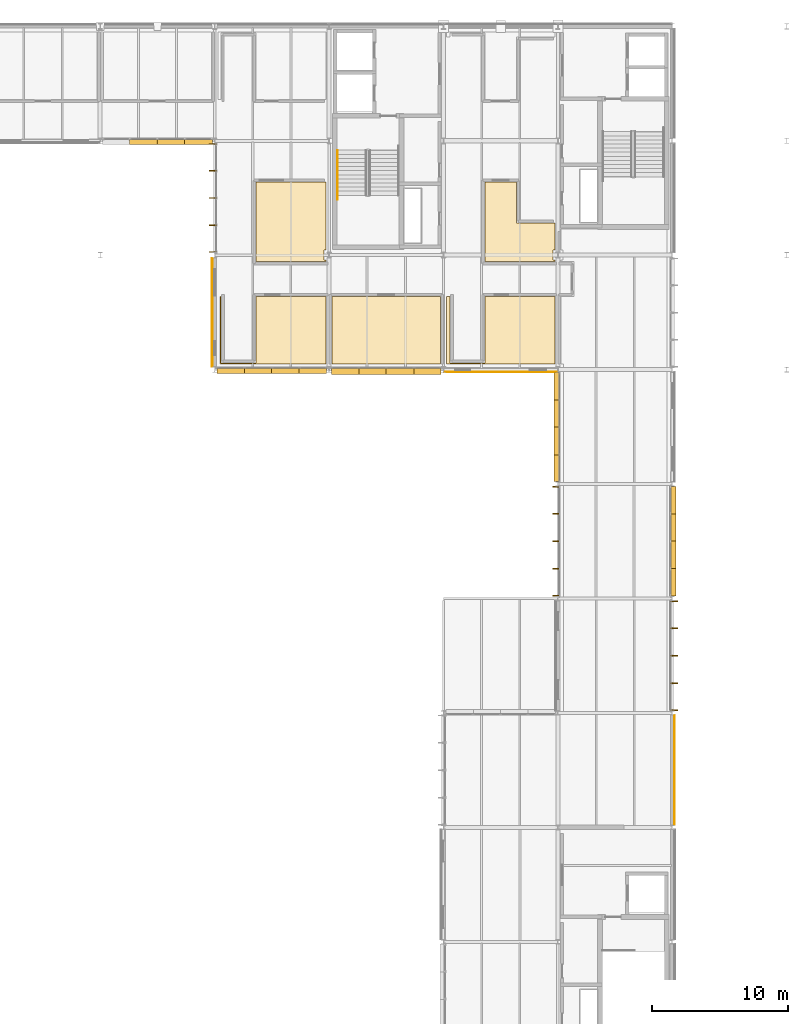
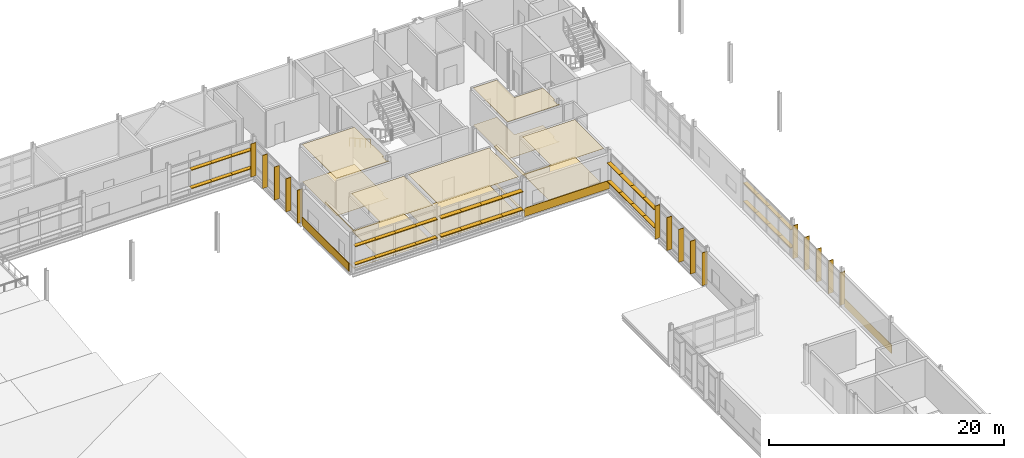
# One storey, part 64 of 66: 53 shading devices, 13 coverings, 1 railing.
"""IFC4 building model written with IfcOpenShell, lengths in metres."""

from ifc_helpers import new_model, si_unit, direction, frame, origin, origin_2d, place, context, subcontext, project, spatial, polyline, rectangle, circle, outline, extrude, material, layer, layer_set, type_object, element, save


model = new_model("IFC4")

# Units and contexts
model_context = context("Model", 3, precision=1e-05, world=origin(), true_north=direction((0.0, 1.0)))
body_context = subcontext(model_context, "Body", "Model", "MODEL_VIEW")
ifc_project = project(units=[si_unit("LENGTHUNIT", "METRE"), si_unit("AREAUNIT", "SQUARE_METRE"), si_unit("VOLUMEUNIT", "CUBIC_METRE"), si_unit("PLANEANGLEUNIT", "RADIAN"), si_unit("MASSUNIT", "GRAM", prefix="KILO")], contexts=[model_context])

# Site, building, storey
site_placement = place(None, origin())
site = spatial("IfcSite", under=ifc_project, at=site_placement, CompositionType="ELEMENT")
building_placement = place(site_placement, origin())
building = spatial("IfcBuilding", under=site, at=building_placement, Name="Mersafa Astral City Hall", CompositionType="ELEMENT")
storey_placement = place(building_placement, frame((0.0, 0.0, 22.050048828125)))
storey = spatial("IfcBuildingStorey", under=building, at=storey_placement, Name="L05", CompositionType="ELEMENT", Elevation=22.050048828125)

# Coverings
ifc_material_1 = material(Name="Cairo Mokattam buff limestone cladding", Category="masonry")
ifc_layer_1 = layer(ifc_material_1, 0.06005859375, Name="Cairo Mokattam buff limestone cladding")
ifc_layer_set_1 = layer_set([ifc_layer_1], Name="Cairo Mokattam buff limestone cladding — ENV-COV-LIMESTONE-60")
covering_type_1 = type_object("IfcCoveringType", Name="ENV-COV-LIMESTONE-60", PredefinedType="CLADDING", material=ifc_layer_set_1)
covering_1_placement = place(storey_placement, frame((176.56201171875, 71.39990234375, 0.0), z_axis=(0.0, 0.0, 1.0), x_axis=(0.0, 1.0, 0.0)))
element("IfcCovering", 1, at=covering_1_placement, inside=storey, type_object=covering_type_1, Name="L05 Cairo buff limestone rainscreen cladding 322", PredefinedType="CLADDING", context=body_context, shape_type="SweptSolid", body=[
    extrude(rectangle(XDim=8.048095703125, YDim=0.06005859375, at=origin_2d()), origin(), (0.0, 0.0, 1.0), 0.860107421875),
])
covering_2_placement = place(storey_placement, frame((142.623046875, 105.0, 0.0), z_axis=(0.0, 0.0, 1.0), x_axis=(0.0, -1.0, 0.0)))
element("IfcCovering", 2, at=covering_2_placement, inside=storey, type_object=covering_type_1, Name="L05 Cairo buff limestone rainscreen cladding 343", PredefinedType="CLADDING", context=body_context, shape_type="SweptSolid", body=[
    extrude(rectangle(XDim=7.947998046875, YDim=0.06005859375, at=origin_2d()), origin(), (0.0, 0.0, 1.0), 0.860107421875),
])
covering_3_placement = place(storey_placement, frame((163.800048828125, 100.630615234375, 0.0), z_axis=(0.0, 0.0, 1.0), x_axis=(1.0, 0.0, 0.0)))
element("IfcCovering", 3, at=covering_3_placement, inside=storey, type_object=covering_type_1, Name="L05 Cairo buff limestone rainscreen cladding 344", PredefinedType="CLADDING", context=body_context, shape_type="SweptSolid", body=[
    extrude(rectangle(XDim=8.323974609375, YDim=0.06005859375, at=origin_2d()), origin(), (0.0, 0.0, 1.0), 0.860107421875),
])

# Shading devices
ifc_material_2 = material(Name="Anodised bronze aluminium solar fin", Category="aluminium")
shading_device_type_1 = type_object("IfcShadingDeviceType", Name="ENV-SHD-FIN-500A", PredefinedType="USERDEFINED", material=ifc_material_2)
for number, where, z_axis, x_axis, name in (
    (4, (176.544921875, 75.7919921875, -0.01513671875), (0.0, 0.0, 1.0), (0.0, 1.0, 0.0), "L05 Vertical bronze solar fin 1442"),
    (5, (176.544921875, 77.781005859375, -0.01513671875), (0.0, 0.0, 1.0), (0.0, 1.0, 0.0), "L05 Vertical bronze solar fin 1443"),
    (6, (176.544921875, 79.800048828125, -0.01513671875), (0.0, 0.0, 1.0), (0.0, 1.0, 0.0), "L05 Vertical bronze solar fin 1444"),
    (7, (176.544921875, 81.819091796875, -0.01513671875), (0.0, 0.0, 1.0), (0.0, 1.0, 0.0), "L05 Vertical bronze solar fin 1445"),
    (8, (176.544921875, 83.80810546875, -0.01513671875), (0.0, 0.0, 1.0), (0.0, 1.0, 0.0), "L05 Vertical bronze solar fin 1446"),
):
    element("IfcShadingDevice", number, at=place(storey_placement, frame(where, z_axis=z_axis, x_axis=x_axis)), inside=storey, type_object=shading_device_type_1, Name=name, ObjectType="FIN", PredefinedType="USERDEFINED", context=body_context, shape_type="SweptSolid", body=[
        extrude(rectangle(XDim=0.06005859375, YDim=0.5, at=origin_2d()), origin(), (0.0, 0.0, 1.0), 3.422119140625),
    ])
for number, where, z_axis, x_axis, name in (
    (9, (142.655029296875, 117.35791015625, -0.01513671875), (0.0, 0.0, 1.0), (0.0, -1.0, 0.0), "L05 Vertical bronze solar fin 1540"),
    (10, (142.655029296875, 115.39404296875, -0.01513671875), (0.0, 0.0, 1.0), (0.0, -1.0, 0.0), "L05 Vertical bronze solar fin 1541"),
    (11, (142.655029296875, 113.39990234375, -0.01513671875), (0.0, 0.0, 1.0), (0.0, -1.0, 0.0), "L05 Vertical bronze solar fin 1542"),
    (12, (142.655029296875, 111.406005859375, -0.01513671875), (0.0, 0.0, 1.0), (0.0, -1.0, 0.0), "L05 Vertical bronze solar fin 1543"),
    (13, (142.655029296875, 109.44189453125, -0.01513671875), (0.0, 0.0, 1.0), (0.0, -1.0, 0.0), "L05 Vertical bronze solar fin 1544"),
):
    element("IfcShadingDevice", number, at=place(storey_placement, frame(where, z_axis=z_axis, x_axis=x_axis)), inside=storey, type_object=shading_device_type_1, Name=name, ObjectType="FIN", PredefinedType="USERDEFINED", context=body_context, shape_type="SweptSolid", body=[
        extrude(rectangle(XDim=0.06005859375, YDim=0.5, at=origin_2d()), origin(), (0.0, 0.0, 1.0), 3.447021484375),
    ])
for number, where, z_axis, x_axis, name in (
    (14, (167.85498046875, 92.2080078125, -0.01513671875), (0.0, 0.0, 1.0), (0.0, -1.0, 0.0), "L05 Vertical bronze solar fin 1569"),
    (15, (167.85498046875, 90.218994140625, -0.01513671875), (0.0, 0.0, 1.0), (0.0, -1.0, 0.0), "L05 Vertical bronze solar fin 1570"),
    (16, (167.85498046875, 88.199951171875, -0.01513671875), (0.0, 0.0, 1.0), (0.0, -1.0, 0.0), "L05 Vertical bronze solar fin 1571"),
    (17, (167.85498046875, 86.180908203125, -0.01513671875), (0.0, 0.0, 1.0), (0.0, -1.0, 0.0), "L05 Vertical bronze solar fin 1572"),
    (18, (167.85498046875, 84.19189453125, -0.01513671875), (0.0, 0.0, 1.0), (0.0, -1.0, 0.0), "L05 Vertical bronze solar fin 1573"),
):
    element("IfcShadingDevice", number, at=place(storey_placement, frame(where, z_axis=z_axis, x_axis=x_axis)), inside=storey, type_object=shading_device_type_1, Name=name, ObjectType="FIN", PredefinedType="USERDEFINED", context=body_context, shape_type="SweptSolid", body=[
        extrude(rectangle(XDim=0.06005859375, YDim=0.5, at=origin_2d()), origin(), (0.0, 0.0, 1.0), 3.422119140625),
    ])
ifc_material_3 = material(Name="Kiln-dried cedar timber brise-soleil blade", Category="wood")
shading_device_type_2 = type_object("IfcShadingDeviceType", Name="ENV-SHD-LOUVRE-380", PredefinedType="JALOUSIE", material=ifc_material_3)
shading_device_1_placement = place(storey_placement, frame((176.47998046875, 85.1865234375, 0.81494140625), z_axis=(0.0, 0.0, 1.0), x_axis=(0.0, 1.0, 0.0)))
element("IfcShadingDevice", 19, at=shading_device_1_placement, inside=storey, type_object=shading_device_type_2, Name="L05 Horizontal cedar brise-soleil louvre 1447", PredefinedType="JALOUSIE", context=body_context, shape_type="SweptSolid", body=[
    extrude(rectangle(XDim=2.029052734375, YDim=0.3798828125, at=origin_2d()), origin(), (0.0, 0.0, 1.0), 0.070068359375),
])
for number, where, z_axis, x_axis, name in (
    (20, (176.47998046875, 87.1904296875, 0.81494140625), (0.0, 0.0, 1.0), (0.0, 1.0, 0.0), "L05 Horizontal cedar brise-soleil louvre 1448"),
    (21, (176.47998046875, 89.20947265625, 0.81494140625), (0.0, 0.0, 1.0), (0.0, 1.0, 0.0), "L05 Horizontal cedar brise-soleil louvre 1449"),
):
    element("IfcShadingDevice", number, at=place(storey_placement, frame(where, z_axis=z_axis, x_axis=x_axis)), inside=storey, type_object=shading_device_type_2, Name=name, PredefinedType="JALOUSIE", context=body_context, shape_type="SweptSolid", body=[
        extrude(rectangle(XDim=2.05908203125, YDim=0.3798828125, at=origin_2d()), origin(), (0.0, 0.0, 1.0), 0.070068359375),
    ])
for number, where, z_axis, x_axis, name in (
    (22, (176.47998046875, 91.21337890625, 0.81494140625), (0.0, 0.0, 1.0), (0.0, 1.0, 0.0), "L05 Horizontal cedar brise-soleil louvre 1450"),
    (23, (176.47998046875, 85.1865234375, 2.71484375), (0.0, 0.0, 1.0), (0.0, 1.0, 0.0), "L05 Horizontal cedar brise-soleil louvre 1451"),
):
    element("IfcShadingDevice", number, at=place(storey_placement, frame(where, z_axis=z_axis, x_axis=x_axis)), inside=storey, type_object=shading_device_type_2, Name=name, PredefinedType="JALOUSIE", context=body_context, shape_type="SweptSolid", body=[
        extrude(rectangle(XDim=2.029052734375, YDim=0.3798828125, at=origin_2d()), origin(), (0.0, 0.0, 1.0), 0.070068359375),
    ])
for number, where, z_axis, x_axis, name in (
    (24, (176.47998046875, 87.1904296875, 2.71484375), (0.0, 0.0, 1.0), (0.0, 1.0, 0.0), "L05 Horizontal cedar brise-soleil louvre 1452"),
    (25, (176.47998046875, 89.20947265625, 2.71484375), (0.0, 0.0, 1.0), (0.0, 1.0, 0.0), "L05 Horizontal cedar brise-soleil louvre 1453"),
):
    element("IfcShadingDevice", number, at=place(storey_placement, frame(where, z_axis=z_axis, x_axis=x_axis)), inside=storey, type_object=shading_device_type_2, Name=name, PredefinedType="JALOUSIE", context=body_context, shape_type="SweptSolid", body=[
        extrude(rectangle(XDim=2.05908203125, YDim=0.3798828125, at=origin_2d()), origin(), (0.0, 0.0, 1.0), 0.070068359375),
    ])
shading_device_2_placement = place(storey_placement, frame((176.47998046875, 91.21337890625, 2.71484375), z_axis=(0.0, 0.0, 1.0), x_axis=(0.0, 1.0, 0.0)))
element("IfcShadingDevice", 26, at=shading_device_2_placement, inside=storey, type_object=shading_device_type_2, Name="L05 Horizontal cedar brise-soleil louvre 1454", PredefinedType="JALOUSIE", context=body_context, shape_type="SweptSolid", body=[
    extrude(rectangle(XDim=2.029052734375, YDim=0.3798828125, at=origin_2d()), origin(), (0.0, 0.0, 1.0), 0.070068359375),
])
for number, where, z_axis, x_axis, name in (
    (27, (137.590576171875, 117.52001953125, 0.81494140625), (0.0, 0.0, 1.0), (1.0, 0.0, 0.0), "L05 Horizontal cedar brise-soleil louvre 1533"),
    (28, (139.609619140625, 117.52001953125, 0.81494140625), (0.0, 0.0, 1.0), (1.0, 0.0, 0.0), "L05 Horizontal cedar brise-soleil louvre 1534"),
):
    element("IfcShadingDevice", number, at=place(storey_placement, frame(where, z_axis=z_axis, x_axis=x_axis)), inside=storey, type_object=shading_device_type_2, Name=name, PredefinedType="JALOUSIE", context=body_context, shape_type="SweptSolid", body=[
        extrude(rectangle(XDim=2.05908203125, YDim=0.3798828125, at=origin_2d()), origin(), (0.0, 0.0, 1.0), 0.070068359375),
    ])
shading_device_3_placement = place(storey_placement, frame((141.613525390625, 117.52001953125, 0.81494140625), z_axis=(0.0, 0.0, 1.0), x_axis=(1.0, 0.0, 0.0)))
element("IfcShadingDevice", 29, at=shading_device_3_placement, inside=storey, type_object=shading_device_type_2, Name="L05 Horizontal cedar brise-soleil louvre 1535", PredefinedType="JALOUSIE", context=body_context, shape_type="SweptSolid", body=[
    extrude(rectangle(XDim=2.029052734375, YDim=0.3798828125, at=origin_2d()), origin(), (0.0, 0.0, 1.0), 0.070068359375),
])
for number, where, z_axis, x_axis, name in (
    (30, (137.590576171875, 117.52001953125, 2.71484375), (0.0, 0.0, 1.0), (1.0, 0.0, 0.0), "L05 Horizontal cedar brise-soleil louvre 1537"),
    (31, (139.609619140625, 117.52001953125, 2.71484375), (0.0, 0.0, 1.0), (1.0, 0.0, 0.0), "L05 Horizontal cedar brise-soleil louvre 1538"),
):
    element("IfcShadingDevice", number, at=place(storey_placement, frame(where, z_axis=z_axis, x_axis=x_axis)), inside=storey, type_object=shading_device_type_2, Name=name, PredefinedType="JALOUSIE", context=body_context, shape_type="SweptSolid", body=[
        extrude(rectangle(XDim=2.05908203125, YDim=0.3798828125, at=origin_2d()), origin(), (0.0, 0.0, 1.0), 0.070068359375),
    ])
for number, where, z_axis, x_axis, name in (
    (32, (141.613525390625, 117.52001953125, 2.71484375), (0.0, 0.0, 1.0), (1.0, 0.0, 0.0), "L05 Horizontal cedar brise-soleil louvre 1539"),
    (33, (143.986572265625, 100.719970703125, 0.81494140625), (0.0, 0.0, 1.0), (1.0, 0.0, 0.0), "L05 Horizontal cedar brise-soleil louvre 1545"),
):
    element("IfcShadingDevice", number, at=place(storey_placement, frame(where, z_axis=z_axis, x_axis=x_axis)), inside=storey, type_object=shading_device_type_2, Name=name, PredefinedType="JALOUSIE", context=body_context, shape_type="SweptSolid", body=[
        extrude(rectangle(XDim=2.029052734375, YDim=0.3798828125, at=origin_2d()), origin(), (0.0, 0.0, 1.0), 0.070068359375),
    ])
for number, where, z_axis, x_axis, name in (
    (34, (145.990478515625, 100.719970703125, 0.81494140625), (0.0, 0.0, 1.0), (1.0, 0.0, 0.0), "L05 Horizontal cedar brise-soleil louvre 1546"),
    (35, (148.009521484375, 100.719970703125, 0.81494140625), (0.0, 0.0, 1.0), (1.0, 0.0, 0.0), "L05 Horizontal cedar brise-soleil louvre 1547"),
):
    element("IfcShadingDevice", number, at=place(storey_placement, frame(where, z_axis=z_axis, x_axis=x_axis)), inside=storey, type_object=shading_device_type_2, Name=name, PredefinedType="JALOUSIE", context=body_context, shape_type="SweptSolid", body=[
        extrude(rectangle(XDim=2.05908203125, YDim=0.3798828125, at=origin_2d()), origin(), (0.0, 0.0, 1.0), 0.070068359375),
    ])
for number, where, z_axis, x_axis, name in (
    (36, (150.013427734375, 100.719970703125, 0.81494140625), (0.0, 0.0, 1.0), (1.0, 0.0, 0.0), "L05 Horizontal cedar brise-soleil louvre 1548"),
    (37, (143.986572265625, 100.719970703125, 2.71484375), (0.0, 0.0, 1.0), (1.0, 0.0, 0.0), "L05 Horizontal cedar brise-soleil louvre 1549"),
):
    element("IfcShadingDevice", number, at=place(storey_placement, frame(where, z_axis=z_axis, x_axis=x_axis)), inside=storey, type_object=shading_device_type_2, Name=name, PredefinedType="JALOUSIE", context=body_context, shape_type="SweptSolid", body=[
        extrude(rectangle(XDim=2.029052734375, YDim=0.3798828125, at=origin_2d()), origin(), (0.0, 0.0, 1.0), 0.070068359375),
    ])
for number, where, z_axis, x_axis, name in (
    (38, (145.990478515625, 100.719970703125, 2.71484375), (0.0, 0.0, 1.0), (1.0, 0.0, 0.0), "L05 Horizontal cedar brise-soleil louvre 1550"),
    (39, (148.009521484375, 100.719970703125, 2.71484375), (0.0, 0.0, 1.0), (1.0, 0.0, 0.0), "L05 Horizontal cedar brise-soleil louvre 1551"),
):
    element("IfcShadingDevice", number, at=place(storey_placement, frame(where, z_axis=z_axis, x_axis=x_axis)), inside=storey, type_object=shading_device_type_2, Name=name, PredefinedType="JALOUSIE", context=body_context, shape_type="SweptSolid", body=[
        extrude(rectangle(XDim=2.05908203125, YDim=0.3798828125, at=origin_2d()), origin(), (0.0, 0.0, 1.0), 0.070068359375),
    ])
shading_device_4_placement = place(storey_placement, frame((150.013427734375, 100.719970703125, 2.71484375), z_axis=(0.0, 0.0, 1.0), x_axis=(1.0, 0.0, 0.0)))
element("IfcShadingDevice", 40, at=shading_device_4_placement, inside=storey, type_object=shading_device_type_2, Name="L05 Horizontal cedar brise-soleil louvre 1552", PredefinedType="JALOUSIE", context=body_context, shape_type="SweptSolid", body=[
    extrude(rectangle(XDim=2.029052734375, YDim=0.3798828125, at=origin_2d()), origin(), (0.0, 0.0, 1.0), 0.070068359375),
])
shading_device_5_placement = place(storey_placement, frame((167.919921875, 99.569580078125, 0.81494140625), z_axis=(0.0, 0.0, 1.0), x_axis=(0.0, -1.0, 0.0)))
element("IfcShadingDevice", 41, at=shading_device_5_placement, inside=storey, type_object=shading_device_type_2, Name="L05 Horizontal cedar brise-soleil louvre 1561", PredefinedType="JALOUSIE", context=body_context, shape_type="SweptSolid", body=[
    extrude(rectangle(XDim=2.0166015625, YDim=0.3798828125, at=origin_2d()), origin(), (0.0, 0.0, 1.0), 0.070068359375),
])
for number, where, z_axis, x_axis, name in (
    (42, (167.919921875, 97.578125, 0.81494140625), (0.0, 0.0, 1.0), (0.0, -1.0, 0.0), "L05 Horizontal cedar brise-soleil louvre 1562"),
    (43, (167.919921875, 95.57177734375, 0.81494140625), (0.0, 0.0, 1.0), (0.0, -1.0, 0.0), "L05 Horizontal cedar brise-soleil louvre 1563"),
):
    element("IfcShadingDevice", number, at=place(storey_placement, frame(where, z_axis=z_axis, x_axis=x_axis)), inside=storey, type_object=shading_device_type_2, Name=name, PredefinedType="JALOUSIE", context=body_context, shape_type="SweptSolid", body=[
        extrude(rectangle(XDim=2.04638671875, YDim=0.3798828125, at=origin_2d()), origin(), (0.0, 0.0, 1.0), 0.070068359375),
    ])
for number, where, z_axis, x_axis, name in (
    (44, (167.919921875, 93.580078125, 0.81494140625), (0.0, 0.0, 1.0), (0.0, -1.0, 0.0), "L05 Horizontal cedar brise-soleil louvre 1564"),
    (45, (167.919921875, 99.569580078125, 2.71484375), (0.0, 0.0, 1.0), (0.0, -1.0, 0.0), "L05 Horizontal cedar brise-soleil louvre 1565"),
):
    element("IfcShadingDevice", number, at=place(storey_placement, frame(where, z_axis=z_axis, x_axis=x_axis)), inside=storey, type_object=shading_device_type_2, Name=name, PredefinedType="JALOUSIE", context=body_context, shape_type="SweptSolid", body=[
        extrude(rectangle(XDim=2.0166015625, YDim=0.3798828125, at=origin_2d()), origin(), (0.0, 0.0, 1.0), 0.070068359375),
    ])
for number, where, z_axis, x_axis, name in (
    (46, (167.919921875, 97.578125, 2.71484375), (0.0, 0.0, 1.0), (0.0, -1.0, 0.0), "L05 Horizontal cedar brise-soleil louvre 1566"),
    (47, (167.919921875, 95.57177734375, 2.71484375), (0.0, 0.0, 1.0), (0.0, -1.0, 0.0), "L05 Horizontal cedar brise-soleil louvre 1567"),
):
    element("IfcShadingDevice", number, at=place(storey_placement, frame(where, z_axis=z_axis, x_axis=x_axis)), inside=storey, type_object=shading_device_type_2, Name=name, PredefinedType="JALOUSIE", context=body_context, shape_type="SweptSolid", body=[
        extrude(rectangle(XDim=2.04638671875, YDim=0.3798828125, at=origin_2d()), origin(), (0.0, 0.0, 1.0), 0.070068359375),
    ])
shading_device_6_placement = place(storey_placement, frame((167.919921875, 93.580078125, 2.71484375), z_axis=(0.0, 0.0, 1.0), x_axis=(0.0, -1.0, 0.0)))
element("IfcShadingDevice", 48, at=shading_device_6_placement, inside=storey, type_object=shading_device_type_2, Name="L05 Horizontal cedar brise-soleil louvre 1568", PredefinedType="JALOUSIE", context=body_context, shape_type="SweptSolid", body=[
    extrude(rectangle(XDim=2.0166015625, YDim=0.3798828125, at=origin_2d()), origin(), (0.0, 0.0, 1.0), 0.070068359375),
])
shading_device_type_3 = type_object("IfcShadingDeviceType", Name="ENV-SHD-LOUVRE-450", PredefinedType="JALOUSIE", material=ifc_material_3)
shading_device_7_placement = place(storey_placement, frame((152.386474609375, 100.68505859375, 0.809814453125), z_axis=(0.0, 0.0, 1.0), x_axis=(1.0, 0.0, 0.0)))
element("IfcShadingDevice", 49, at=shading_device_7_placement, inside=storey, type_object=shading_device_type_3, Name="L05 Horizontal cedar brise-soleil louvre 1553", PredefinedType="JALOUSIE", context=body_context, shape_type="SweptSolid", body=[
    extrude(rectangle(XDim=2.029052734375, YDim=0.449951171875, at=origin_2d()), origin(), (0.0, 0.0, 1.0), 0.080078125),
])
for number, where, z_axis, x_axis, name in (
    (50, (154.390380859375, 100.68505859375, 0.809814453125), (0.0, 0.0, 1.0), (1.0, 0.0, 0.0), "L05 Horizontal cedar brise-soleil louvre 1554"),
    (51, (156.409423828125, 100.68505859375, 0.809814453125), (0.0, 0.0, 1.0), (1.0, 0.0, 0.0), "L05 Horizontal cedar brise-soleil louvre 1555"),
):
    element("IfcShadingDevice", number, at=place(storey_placement, frame(where, z_axis=z_axis, x_axis=x_axis)), inside=storey, type_object=shading_device_type_3, Name=name, PredefinedType="JALOUSIE", context=body_context, shape_type="SweptSolid", body=[
        extrude(rectangle(XDim=2.05908203125, YDim=0.449951171875, at=origin_2d()), origin(), (0.0, 0.0, 1.0), 0.080078125),
    ])
for number, where, z_axis, x_axis, name in (
    (52, (158.41357421875, 100.68505859375, 0.809814453125), (0.0, 0.0, 1.0), (1.0, 0.0, 0.0), "L05 Horizontal cedar brise-soleil louvre 1556"),
    (53, (152.386474609375, 100.68505859375, 2.7099609375), (0.0, 0.0, 1.0), (1.0, 0.0, 0.0), "L05 Horizontal cedar brise-soleil louvre 1557"),
):
    element("IfcShadingDevice", number, at=place(storey_placement, frame(where, z_axis=z_axis, x_axis=x_axis)), inside=storey, type_object=shading_device_type_3, Name=name, PredefinedType="JALOUSIE", context=body_context, shape_type="SweptSolid", body=[
        extrude(rectangle(XDim=2.029052734375, YDim=0.449951171875, at=origin_2d()), origin(), (0.0, 0.0, 1.0), 0.080078125),
    ])
for number, where, z_axis, x_axis, name in (
    (54, (154.390380859375, 100.68505859375, 2.7099609375), (0.0, 0.0, 1.0), (1.0, 0.0, 0.0), "L05 Horizontal cedar brise-soleil louvre 1558"),
    (55, (156.409423828125, 100.68505859375, 2.7099609375), (0.0, 0.0, 1.0), (1.0, 0.0, 0.0), "L05 Horizontal cedar brise-soleil louvre 1559"),
):
    element("IfcShadingDevice", number, at=place(storey_placement, frame(where, z_axis=z_axis, x_axis=x_axis)), inside=storey, type_object=shading_device_type_3, Name=name, PredefinedType="JALOUSIE", context=body_context, shape_type="SweptSolid", body=[
        extrude(rectangle(XDim=2.05908203125, YDim=0.449951171875, at=origin_2d()), origin(), (0.0, 0.0, 1.0), 0.080078125),
    ])
shading_device_8_placement = place(storey_placement, frame((158.41357421875, 100.68505859375, 2.7099609375), z_axis=(0.0, 0.0, 1.0), x_axis=(1.0, 0.0, 0.0)))
element("IfcShadingDevice", 56, at=shading_device_8_placement, inside=storey, type_object=shading_device_type_3, Name="L05 Horizontal cedar brise-soleil louvre 1560", PredefinedType="JALOUSIE", context=body_context, shape_type="SweptSolid", body=[
    extrude(rectangle(XDim=2.029052734375, YDim=0.449951171875, at=origin_2d()), origin(), (0.0, 0.0, 1.0), 0.080078125),
])

# Railing
ifc_material_4 = material(Name="Brushed stainless steel tubular handrail", Category="steel")
railing_type = type_object("IfcRailingType", Name="HANDRAIL", PredefinedType="HANDRAIL", material=ifc_material_4)
railing_placement = place(storey_placement, frame((151.830078125, 116.89990234375, 0.168701171875)))
element("IfcRailing", 57, at=railing_placement, inside=storey, type_object=railing_type, Name="L05 ST1 stair handrail 1", PredefinedType="HANDRAIL", context=body_context, shape_type="SweptSolid", body=[
    extrude(circle(Radius=0.02392578125, at=origin_2d()), frame((0.0, 0.0, 0.8759765625), z_axis=(0.0, -0.871248695433, 0.49084183879), x_axis=(1.0, 0.0, 0.0)), (0.0, 0.0, 1.0), 4.1318359375),
    extrude(circle(Radius=0.02099609375, at=origin_2d()), origin(), (0.0, 0.0, 1.0), 0.851806640625),
    extrude(circle(Radius=0.02099609375, at=origin_2d()), frame((0.0, -0.89990234375, 0.507080078125)), (0.0, 0.0, 1.0), 0.851806640625),
    extrude(circle(Radius=0.02099609375, at=origin_2d()), frame((0.0, -1.7998046875, 1.01416015625)), (0.0, 0.0, 1.0), 0.851806640625),
    extrude(circle(Radius=0.02099609375, at=origin_2d()), frame((0.0, -2.699951171875, 1.52099609375)), (0.0, 0.0, 1.0), 0.851806640625),
    extrude(circle(Radius=0.02099609375, at=origin_2d()), frame((0.0, -3.599853515625, 2.028076171875)), (0.0, 0.0, 1.0), 0.851806640625),
])

# Coverings
ifc_material_5 = material(Name="Perforated acoustic gypsum board ceiling", Category="gypsum")
ifc_layer_2 = layer(ifc_material_5, 0.02490234375, Name="Perforated acoustic gypsum board ceiling")
ifc_layer_set_2 = layer_set([ifc_layer_2], Name="Perforated acoustic gypsum board ceiling — INT-COV-CEIL-25")
covering_type_2 = type_object("IfcCoveringType", Name="INT-COV-CEIL-25", PredefinedType="CEILING", material=ifc_layer_set_2)
covering_4_placement = place(storey_placement, frame((0.0, 0.0, 3.85595703125)))
element("IfcCovering", 58, at=covering_4_placement, inside=storey, type_object=covering_type_2, Name="L05 Municipal Policy Research Studio L05-10 acoustic ceiling", PredefinedType="CEILING", context=body_context, shape_type="SweptSolid", body=[
    extrude(outline(polyline([(159.3701171875, 106.159912109375), (159.3701171875, 101.199951171875), (151.429931640625, 101.199951171875), (151.429931640625, 106.159912109375), (159.3701171875, 106.159912109375)])), origin(), (0.0, 0.0, 1.0), 0.02490234375),
])
covering_5_placement = place(storey_placement, frame((0.0, 0.0, 3.85595703125)))
element("IfcCovering", 59, at=covering_5_placement, inside=storey, type_object=covering_type_2, Name="L05 Public Restroom L05-14 acoustic ceiling", PredefinedType="CEILING", context=body_context, shape_type="SweptSolid", body=[
    extrude(outline(polyline([(150.969970703125, 114.56005859375), (150.969970703125, 109.570068359375), (150.830078125, 109.570068359375), (150.830078125, 108.830078125), (150.969970703125, 108.830078125), (150.969970703125, 108.719970703125), (145.840087890625, 108.719970703125), (145.840087890625, 114.56005859375), (150.969970703125, 114.56005859375)])), origin(), (0.0, 0.0, 1.0), 0.02490234375),
])
covering_6_placement = place(storey_placement, frame((0.0, 0.0, 3.85595703125)))
element("IfcCovering", 60, at=covering_6_placement, inside=storey, type_object=covering_type_2, Name="L05 Deputy Mayor Executive Suite L05-16 acoustic ceiling", PredefinedType="CEILING", context=body_context, shape_type="SweptSolid", body=[
    extrude(outline(polyline([(160.080078125, 106.159912109375), (160.080078125, 101.280029296875), (162.639892578125, 101.280029296875), (162.639892578125, 106.159912109375), (167.77001953125, 106.159912109375), (167.77001953125, 101.199951171875), (159.830078125, 101.199951171875), (159.830078125, 106.159912109375), (160.080078125, 106.159912109375)])), origin(), (0.0, 0.0, 1.0), 0.02490234375),
])
covering_7_placement = place(storey_placement, frame((0.0, 0.0, 3.85595703125)))
element("IfcCovering", 61, at=covering_7_placement, inside=storey, type_object=covering_type_2, Name="L05 Municipal Policy Research Studio L05-17 acoustic ceiling", PredefinedType="CEILING", context=body_context, shape_type="SweptSolid", body=[
    extrude(outline(polyline([(143.280029296875, 106.159912109375), (143.280029296875, 101.280029296875), (145.840087890625, 101.280029296875), (145.840087890625, 106.159912109375), (150.969970703125, 106.159912109375), (150.969970703125, 101.199951171875), (143.199951171875, 101.199951171875), (143.199951171875, 106.159912109375), (143.280029296875, 106.159912109375)])), origin(), (0.0, 0.0, 1.0), 0.02490234375),
])
covering_8_placement = place(storey_placement, frame((0.0, 0.0, 3.85595703125)))
element("IfcCovering", 62, at=covering_8_placement, inside=storey, type_object=covering_type_2, Name="L05 Inter-District Coordination Room L05-19 acoustic ceiling", PredefinedType="CEILING", context=body_context, shape_type="SweptSolid", body=[
    extrude(outline(polyline([(164.9599609375, 114.56005859375), (164.9599609375, 111.56005859375), (167.77001953125, 111.56005859375), (167.77001953125, 109.570068359375), (167.6298828125, 109.570068359375), (167.6298828125, 108.830078125), (167.77001953125, 108.830078125), (167.77001953125, 108.719970703125), (162.639892578125, 108.719970703125), (162.639892578125, 114.56005859375), (164.9599609375, 114.56005859375)])), origin(), (0.0, 0.0, 1.0), 0.02490234375),
])
ifc_material_6 = material(Name="Heavy-duty woven acoustic carpet tile", Category="finish")
ifc_layer_3 = layer(ifc_material_6, 0.014892578125, Name="Heavy-duty woven acoustic carpet tile")
ifc_layer_set_3 = layer_set([ifc_layer_3], Name="Heavy-duty woven acoustic carpet tile — INT-COV-FLR-15")
covering_type_3 = type_object("IfcCoveringType", Name="INT-COV-FLR-15", PredefinedType="FLOORING", material=ifc_layer_set_3)
covering_9_placement = place(storey_placement, frame((0.0, 0.0, -0.00146484375)))
element("IfcCovering", 63, at=covering_9_placement, inside=storey, type_object=covering_type_3, Name="L05 Municipal Policy Research Studio L05-10 architectural flooring", PredefinedType="FLOORING", context=body_context, shape_type="SweptSolid", body=[
    extrude(outline(polyline([(159.3701171875, 106.159912109375), (159.3701171875, 101.199951171875), (151.429931640625, 101.199951171875), (151.429931640625, 106.159912109375), (159.3701171875, 106.159912109375)])), origin(), (0.0, 0.0, 1.0), 0.014892578125),
])
covering_10_placement = place(storey_placement, frame((0.0, 0.0, -0.00146484375)))
element("IfcCovering", 64, at=covering_10_placement, inside=storey, type_object=covering_type_3, Name="L05 Public Restroom L05-14 architectural flooring", PredefinedType="FLOORING", context=body_context, shape_type="SweptSolid", body=[
    extrude(outline(polyline([(150.969970703125, 114.56005859375), (150.969970703125, 109.570068359375), (150.830078125, 109.570068359375), (150.830078125, 108.830078125), (150.969970703125, 108.830078125), (150.969970703125, 108.719970703125), (145.840087890625, 108.719970703125), (145.840087890625, 114.56005859375), (150.969970703125, 114.56005859375)])), origin(), (0.0, 0.0, 1.0), 0.014892578125),
])
covering_11_placement = place(storey_placement, frame((0.0, 0.0, -0.00146484375)))
element("IfcCovering", 65, at=covering_11_placement, inside=storey, type_object=covering_type_3, Name="L05 Deputy Mayor Executive Suite L05-16 architectural flooring", PredefinedType="FLOORING", context=body_context, shape_type="SweptSolid", body=[
    extrude(outline(polyline([(160.080078125, 106.159912109375), (160.080078125, 101.280029296875), (162.639892578125, 101.280029296875), (162.639892578125, 106.159912109375), (167.77001953125, 106.159912109375), (167.77001953125, 101.199951171875), (159.830078125, 101.199951171875), (159.830078125, 106.159912109375), (160.080078125, 106.159912109375)])), origin(), (0.0, 0.0, 1.0), 0.014892578125),
])
covering_12_placement = place(storey_placement, frame((0.0, 0.0, -0.00146484375)))
element("IfcCovering", 66, at=covering_12_placement, inside=storey, type_object=covering_type_3, Name="L05 Municipal Policy Research Studio L05-17 architectural flooring", PredefinedType="FLOORING", context=body_context, shape_type="SweptSolid", body=[
    extrude(outline(polyline([(143.280029296875, 106.159912109375), (143.280029296875, 101.280029296875), (145.840087890625, 101.280029296875), (145.840087890625, 106.159912109375), (150.969970703125, 106.159912109375), (150.969970703125, 101.199951171875), (143.199951171875, 101.199951171875), (143.199951171875, 106.159912109375), (143.280029296875, 106.159912109375)])), origin(), (0.0, 0.0, 1.0), 0.014892578125),
])
covering_13_placement = place(storey_placement, frame((0.0, 0.0, -0.00146484375)))
element("IfcCovering", 67, at=covering_13_placement, inside=storey, type_object=covering_type_3, Name="L05 Inter-District Coordination Room L05-19 architectural flooring", PredefinedType="FLOORING", context=body_context, shape_type="SweptSolid", body=[
    extrude(outline(polyline([(164.9599609375, 114.56005859375), (164.9599609375, 111.56005859375), (167.77001953125, 111.56005859375), (167.77001953125, 109.570068359375), (167.6298828125, 109.570068359375), (167.6298828125, 108.830078125), (167.77001953125, 108.830078125), (167.77001953125, 108.719970703125), (162.639892578125, 108.719970703125), (162.639892578125, 114.56005859375), (164.9599609375, 114.56005859375)])), origin(), (0.0, 0.0, 1.0), 0.014892578125),
])

save(model, "model.ifc")
